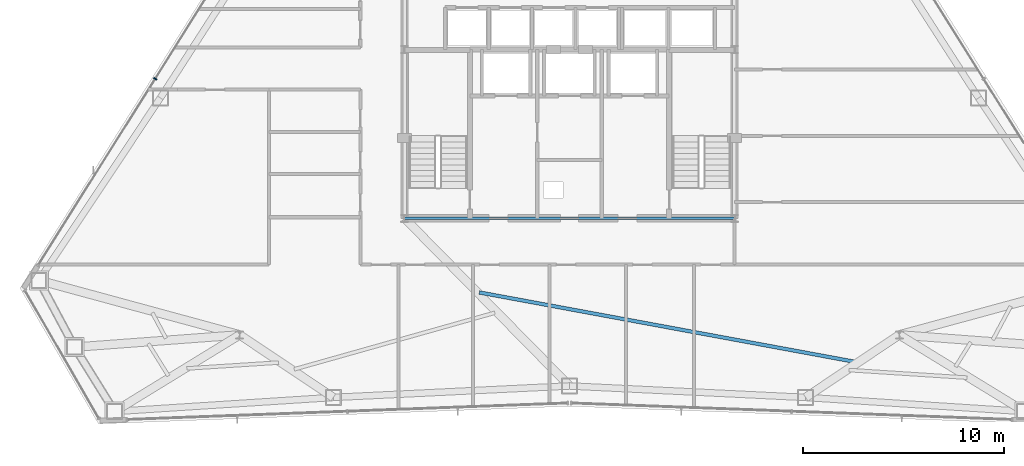
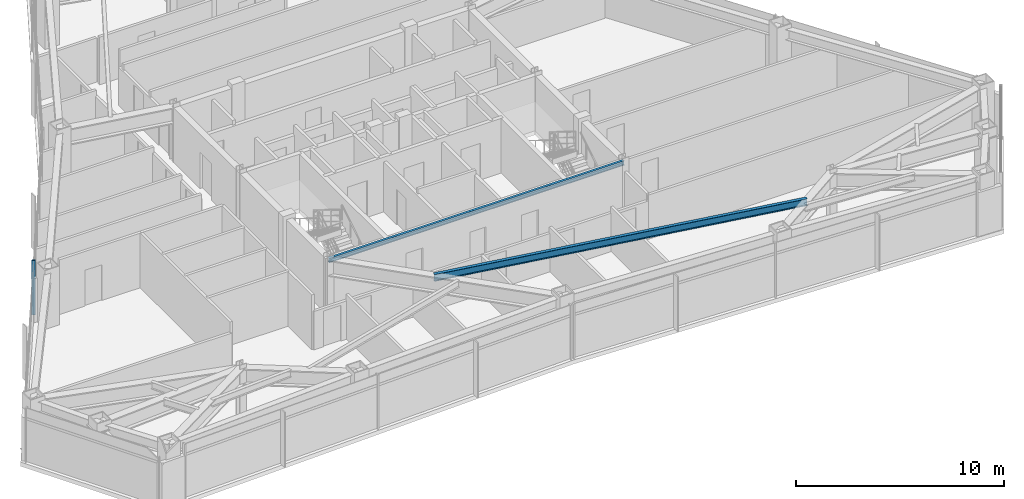
# One storey, part 4 of 13: 2 beams, 1 member, 1 element without a shape of its own.
"""IFC4 building model written with IfcOpenShell, lengths in metres."""

from ifc_helpers import new_model, si_unit, direction, frame, origin, origin_2d, place, context, subcontext, project, spatial, rectangle, i_section, extrude, source, transform, mapped, material, layer, layer_set, material_profile, profile_set, type_object, type_shapes, element, aggregate, save


model = new_model("IFC4")

# Units and contexts
model_context = context("Model", 3, precision=1e-05, world=origin(), true_north=direction((0.0, 1.0)))
body_context = subcontext(model_context, "Body", "Model", "MODEL_VIEW")
ifc_project = project(units=[si_unit("LENGTHUNIT", "METRE"), si_unit("AREAUNIT", "SQUARE_METRE"), si_unit("VOLUMEUNIT", "CUBIC_METRE"), si_unit("PLANEANGLEUNIT", "RADIAN"), si_unit("MASSUNIT", "GRAM", prefix="KILO")], contexts=[model_context])

# Site, building, storey
site_placement = place(None, origin())
site = spatial("IfcSite", under=ifc_project, at=site_placement, CompositionType="ELEMENT")
building_placement = place(site_placement, origin())
building = spatial("IfcBuilding", under=site, at=building_placement, Name="Varakhsha Concourse Tower", CompositionType="ELEMENT")
storey_placement = place(building_placement, frame((0.0, 0.0, 175.800048828125)))
storey = spatial("IfcBuildingStorey", under=building, at=storey_placement, Name="L50", CompositionType="ELEMENT", Elevation=175.800048828125)

# Beams
ifc_material_1 = material(Name="Structural Steel ASTM A992 Grade 50", Category="steel")
ifc_material_profile_1 = material_profile(ifc_material_1, i_section(OverallWidth=0.177978515625, OverallDepth=0.406982421875, WebThickness=0.008056640625, FlangeThickness=0.012939453125, at=origin_2d()), Name="W16X40")
ifc_profile_set_1 = profile_set([ifc_material_profile_1], Name="Structural Steel ASTM A992 Grade 50")
beam_type_1 = type_object("IfcBeamType", Name="BM-JST-W16X40", PredefinedType="JOIST", material=ifc_profile_set_1)
beam_1_placement = place(storey_placement, frame((35.51611328125, 12.7109375, 3.00634765625), z_axis=(0.983366824826, -0.181630635719, 0.0), x_axis=(0.181630635719, 0.983366824826, 0.0)))
element("IfcBeam", 1, at=beam_1_placement, inside=storey, type_object=beam_type_1, Name="BM-TJST-L50-11", PredefinedType="JOIST", context=body_context, shape_type="SweptSolid", body=[
    extrude(i_section(OverallWidth=0.177978515625, OverallDepth=0.406982421875, WebThickness=0.008056640625, FlangeThickness=0.012939453125, at=origin_2d()), origin(), (0.0, 0.0, 1.0), 19.0439453125),
])
ifc_material_profile_2 = material_profile(ifc_material_1, i_section(OverallWidth=0.14697265625, OverallDepth=0.261962890625, WebThickness=0.007080078125, FlangeThickness=0.010986328125, at=origin_2d()), Name="W10X26")
ifc_profile_set_2 = profile_set([ifc_material_profile_2], Name="Structural Steel ASTM A992 Grade 50")
beam_type_2 = type_object("IfcBeamType", Name="BM-LNTL-W10X26", PredefinedType="LINTEL", material=ifc_profile_set_2)
beam_2_placement = place(storey_placement, frame((31.800048828125, 16.39990234375, 3.078857421875), z_axis=(1.0, 0.0, 0.0), x_axis=(0.0, 1.0, 0.0)))
element("IfcBeam", 2, at=beam_2_placement, inside=storey, type_object=beam_type_2, Name="BM-TCORE-L50-CS", PredefinedType="LINTEL", context=body_context, shape_type="SweptSolid", body=[
    extrude(i_section(OverallWidth=0.14697265625, OverallDepth=0.261962890625, WebThickness=0.007080078125, FlangeThickness=0.010986328125, at=origin_2d()), origin(), (0.0, 0.0, 1.0), 16.39990234375),
])

# Curtain wall, member
ifc_material_2 = material(Name="Anodised Bronze Architectural Aluminium AA 6063-T6", Category="aluminium")
ifc_layer = layer(ifc_material_2, 0.2099609375, Name="CW-SYS-04")
ifc_layer_set = layer_set([ifc_layer], Name="Anodised Bronze Architectural Aluminium AA 6063-T6")
curtain_wall_type = type_object("IfcCurtainWallType", Name="CW-SYS-04", PredefinedType="NOTDEFINED", material=ifc_layer_set)
curtain_wall_placement = place(storey_placement, origin())
curtain_wall = element("IfcCurtainWall", 3, at=curtain_wall_placement, inside=storey, type_object=curtain_wall_type, Name="L50 Crystal Curtain Wall F3", PredefinedType="NOTDEFINED")
ifc_material_profile_3 = material_profile(ifc_material_2, rectangle(XDim=0.06494140625, YDim=0.179931640625, at=origin_2d()), Name="CWM-180X65")
ifc_profile_set_3 = profile_set([ifc_material_profile_3], Name="Anodised Bronze Architectural Aluminium AA 6063-T6")
member_type = type_object("IfcMemberType", Name="CWM-180X65", PredefinedType="MULLION", material=ifc_profile_set_3)
shared_shape = source(origin(), body_context, "Body", "SweptSolid", [
    extrude(rectangle(XDim=0.06494140625, YDim=0.179931640625, at=origin_2d()), origin(), (0.0, 0.0, 1.0), 3.2099609375),
])
type_shapes(member_type, [shared_shape])
member_placement = place(storey_placement, frame((19.40380859375, 23.333984375, 0.0), z_axis=(0.0, 0.0, 1.0), x_axis=(0.532022365141, 0.846730301212, 0.0)))
member = element("IfcMember", 4, at=member_placement, type_object=member_type, Name="CW-L50-F3 Mullion 01", PredefinedType="MULLION", context=body_context, shape_type="MappedRepresentation", body=[
    mapped(shared_shape, transform((0.0, 0.0, 0.0), scale=1.0)),
])
aggregate(curtain_wall, [member])

save(model, "model.ifc")
